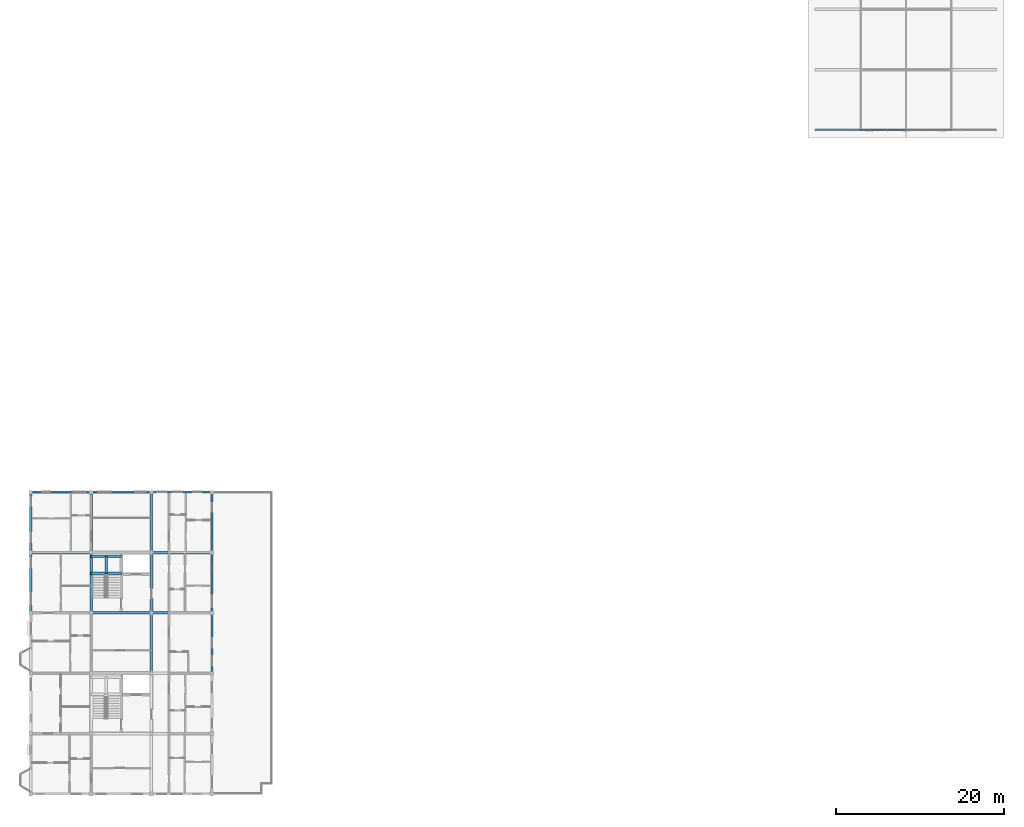
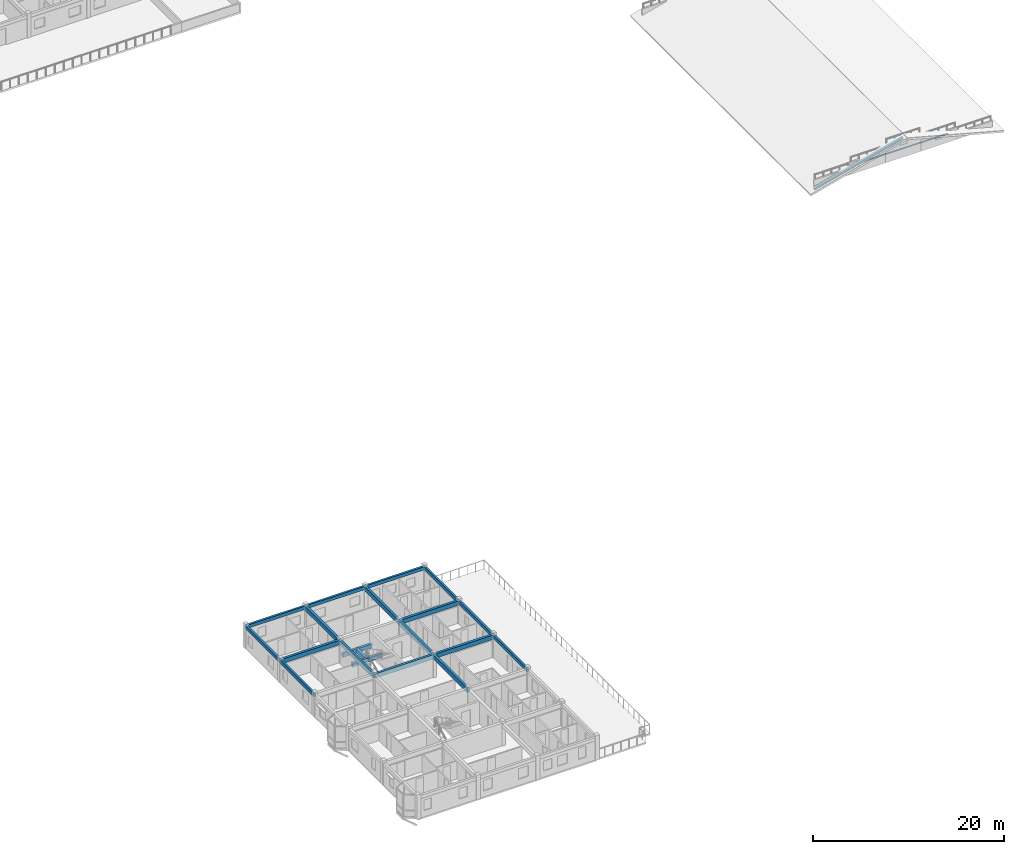
# One storey, part 8 of 40: 20 beams, 2 members.
"""IFC4 building model written with IfcOpenShell, lengths in metres."""

from ifc_helpers import new_model, si_unit, direction, frame, origin, origin_2d, place, context, subcontext, project, spatial, rectangle, hollow_rectangle, i_section, extrude, material, material_profile, profile_set, type_object, element, save


model = new_model("IFC4")

# Units and contexts
model_context = context("Model", 3, precision=1e-05, world=origin(), true_north=direction((0.0, 1.0)))
body_context = subcontext(model_context, "Body", "Model", "MODEL_VIEW")
ifc_project = project(units=[si_unit("LENGTHUNIT", "METRE"), si_unit("AREAUNIT", "SQUARE_METRE"), si_unit("VOLUMEUNIT", "CUBIC_METRE"), si_unit("PLANEANGLEUNIT", "RADIAN"), si_unit("MASSUNIT", "GRAM", prefix="KILO"), si_unit("THERMODYNAMICTEMPERATUREUNIT", "KELVIN"), si_unit("POWERUNIT", "WATT")], contexts=[model_context])

# Site, building, storey
site_placement = place(None, origin())
site = spatial("IfcSite", under=ifc_project, at=site_placement, CompositionType="ELEMENT")
building_placement = place(site_placement, origin())
building = spatial("IfcBuilding", under=site, at=building_placement, Name="Tavuni Mirador Residences", CompositionType="ELEMENT")
storey_placement = place(building_placement, frame((0.0, 0.0, 36.0)))
storey = spatial("IfcBuildingStorey", under=building, at=storey_placement, Name="L11", CompositionType="ELEMENT", Elevation=36.0)

# Beams
ifc_material_1 = material(Name="Precast concrete C40/50", Category="concrete")
ifc_material_profile_1 = material_profile(ifc_material_1, rectangle(XDim=0.300048828125, YDim=0.5, at=origin_2d()), Name="PC 300x500", Category="concrete")
ifc_profile_set_1 = profile_set([ifc_material_profile_1], Name="Precast concrete C40/50")
beam_type_1 = type_object("IfcBeamType", Name="BT-B500", PredefinedType="BEAM", material=ifc_profile_set_1)
for number, where, z_axis, x_axis, name in (
    (1, (10.800048828125, 33.5, 1.14501953125), (1.0, 0.0, 0.0), (0.0, 1.0, 0.0), "HLB1-C2-L11"),
    (2, (10.800048828125, 35.550048828125, 1.14501953125), (1.0, 0.0, 0.0), (0.0, 1.0, 0.0), "HLB2-C2-L11"),
):
    element("IfcBeam", number, at=place(storey_placement, frame(where, z_axis=z_axis, x_axis=x_axis)), inside=storey, type_object=beam_type_1, Name=name, PredefinedType="BEAM", context=body_context, shape_type="SweptSolid", body=[
        extrude(rectangle(XDim=0.300048828125, YDim=0.5, at=origin_2d()), origin(), (0.0, 0.0, 1.0), 3.599853515625),
    ])
beam_placement = place(storey_placement, frame((12.60009765625, 33.5, 1.14501953125), z_axis=(0.0, 1.0, 0.0), x_axis=(-1.0, 0.0, 0.0)))
element("IfcBeam", 3, at=beam_placement, inside=storey, type_object=beam_type_1, Name="HLB3-C2-L11", PredefinedType="BEAM", context=body_context, shape_type="SweptSolid", body=[
    extrude(rectangle(XDim=0.300048828125, YDim=0.5, at=origin_2d()), origin(), (0.0, 0.0, 1.0), 2.050048828125),
])
ifc_material_profile_2 = material_profile(ifc_material_1, rectangle(XDim=0.300048828125, YDim=0.550048828125, at=origin_2d()), Name="PC 300x550", Category="concrete")
ifc_profile_set_2 = profile_set([ifc_material_profile_2], Name="Precast concrete C40/50")
beam_type_2 = type_object("IfcBeamType", Name="BT-B550", PredefinedType="BEAM", material=ifc_profile_set_2)
for number, where, z_axis, x_axis, name in (
    (4, (10.800048828125, 28.800048828125, 2.594970703125), (1.0, 0.0, 0.0), (0.0, 1.0, 0.0), "BMX-BLK-A-L11-01-03"),
    (5, (18.0, 28.800048828125, 2.594970703125), (1.0, 0.0, 0.0), (0.0, 1.0, 0.0), "BMX-BLK-A-L11-02-03"),
    (6, (3.60009765625, 36.0, 2.594970703125), (1.0, 0.0, 0.0), (0.0, 1.0, 0.0), "BMX-BLK-A-L11-00-04"),
    (7, (18.0, 36.0, 2.594970703125), (1.0, 0.0, 0.0), (0.0, 1.0, 0.0), "BMX-BLK-A-L11-02-04"),
    (8, (10.800048828125, 28.800048828125, 2.594970703125), (0.0, 1.0, 0.0), (-1.0, 0.0, 0.0), "BMY-BLK-A-L11-01-03"),
    (9, (10.800048828125, 36.0, 2.594970703125), (0.0, 1.0, 0.0), (-1.0, 0.0, 0.0), "BMY-BLK-A-L11-01-04"),
    (10, (18.0, 21.60009765625, 2.594970703125), (0.0, 1.0, 0.0), (-1.0, 0.0, 0.0), "BMY-BLK-A-L11-02-02"),
    (11, (18.0, 28.800048828125, 2.594970703125), (0.0, 1.0, 0.0), (-1.0, 0.0, 0.0), "BMY-BLK-A-L11-02-03"),
    (12, (18.0, 36.0, 2.594970703125), (0.0, 1.0, 0.0), (-1.0, 0.0, 0.0), "BMY-BLK-A-L11-02-04"),
):
    element("IfcBeam", number, at=place(storey_placement, frame(where, z_axis=z_axis, x_axis=x_axis)), inside=storey, type_object=beam_type_2, Name=name, PredefinedType="BEAM", context=body_context, shape_type="SweptSolid", body=[
        extrude(rectangle(XDim=0.300048828125, YDim=0.550048828125, at=origin_2d()), origin(), (0.0, 0.0, 1.0), 7.199951171875),
    ])
ifc_material_profile_3 = material_profile(ifc_material_1, rectangle(XDim=0.25, YDim=0.419921875, at=origin_2d()), Name="PC 250x420", Category="concrete")
ifc_profile_set_3 = profile_set([ifc_material_profile_3], Name="Precast concrete C40/50")
beam_type_3 = type_object("IfcBeamType", Name="BT-SP420", PredefinedType="SPANDREL", material=ifc_profile_set_3)
for number, where, z_axis, x_axis, name in (
    (13, (3.60009765625, 43.199951171875, 2.659912109375), (1.0, 0.0, 0.0), (0.0, 1.0, 0.0), "BMX-BLK-A-L11-00-05"),
    (14, (10.800048828125, 43.199951171875, 2.659912109375), (1.0, 0.0, 0.0), (0.0, 1.0, 0.0), "BMX-BLK-A-L11-01-05"),
    (15, (18.0, 43.199951171875, 2.659912109375), (1.0, 0.0, 0.0), (0.0, 1.0, 0.0), "BMX-BLK-A-L11-02-05"),
    (16, (3.60009765625, 28.800048828125, 2.659912109375), (0.0, 1.0, 0.0), (-1.0, 0.0, 0.0), "BMY-BLK-A-L11-00-03"),
    (17, (3.60009765625, 36.0, 2.659912109375), (0.0, 1.0, 0.0), (-1.0, 0.0, 0.0), "BMY-BLK-A-L11-00-04"),
    (18, (25.199951171875, 21.60009765625, 2.659912109375), (0.0, 1.0, 0.0), (-1.0, 0.0, 0.0), "BMY-BLK-A-L11-03-02"),
    (19, (25.199951171875, 28.800048828125, 2.659912109375), (0.0, 1.0, 0.0), (-1.0, 0.0, 0.0), "BMY-BLK-A-L11-03-03"),
    (20, (25.199951171875, 36.0, 2.659912109375), (0.0, 1.0, 0.0), (-1.0, 0.0, 0.0), "BMY-BLK-A-L11-03-04"),
):
    element("IfcBeam", number, at=place(storey_placement, frame(where, z_axis=z_axis, x_axis=x_axis)), inside=storey, type_object=beam_type_3, Name=name, PredefinedType="SPANDREL", context=body_context, shape_type="SweptSolid", body=[
        extrude(rectangle(XDim=0.25, YDim=0.419921875, at=origin_2d()), origin(), (0.0, 0.0, 1.0), 7.199951171875),
    ])

# Members
ifc_material_2 = material(Name="Structural steel S355", Category="steel")
ifc_material_profile_4 = material_profile(ifc_material_2, hollow_rectangle(XDim=0.10009765625, YDim=0.14990234375, WallThickness=0.008056640625, at=origin_2d()), Name="RHS 150x100x8.0", Category="steel")
ifc_profile_set_4 = profile_set([ifc_material_profile_4], Name="Structural steel S355")
member_type_1 = type_object("IfcMemberType", Name="MT-BR-RHS150", PredefinedType="BRACE", material=ifc_profile_set_4)
member_1_placement = place(storey_placement, frame((102.60009765625, 86.39990234375, 1.050048828125), z_axis=(1.0, 0.0, 0.0), x_axis=(0.0, 1.0, 0.0)))
element("IfcMember", 21, at=member_1_placement, inside=storey, type_object=member_type_1, Name="RTIE-BLK-D-00", PredefinedType="BRACE", context=body_context, shape_type="SweptSolid", body=[
    extrude(hollow_rectangle(XDim=0.10009765625, YDim=0.14990234375, WallThickness=0.008056640625, at=origin_2d()), origin(), (0.0, 0.0, 1.0), 10.7998046875),
])
ifc_material_profile_5 = material_profile(ifc_material_2, i_section(OverallWidth=0.280029296875, OverallDepth=0.27001953125, WebThickness=0.008056640625, FlangeThickness=0.012939453125, FilletRadius=0.02392578125, at=origin_2d()), Name="HEA 280", Category="steel")
ifc_profile_set_5 = profile_set([ifc_material_profile_5], Name="Structural steel S355")
member_type_2 = type_object("IfcMemberType", Name="MT-CH-HEA280", PredefinedType="CHORD", material=ifc_profile_set_5)
member_2_placement = place(storey_placement, frame((97.199951171875, 86.39990234375, -0.35009765625), z_axis=(0.967996110632, 0.0, 0.250965196393), x_axis=(0.0, 1.0, 0.0)))
element("IfcMember", 22, at=member_2_placement, inside=storey, type_object=member_type_2, Name="RAF-BLK-D-00-W", PredefinedType="CHORD", context=body_context, shape_type="SweptSolid", body=[
    extrude(i_section(OverallWidth=0.280029296875, OverallDepth=0.27001953125, WebThickness=0.008056640625, FlangeThickness=0.012939453125, FilletRadius=0.02392578125, at=origin_2d()), origin(), (0.0, 0.0, 1.0), 11.1572265625),
])

save(model, "model.ifc")
